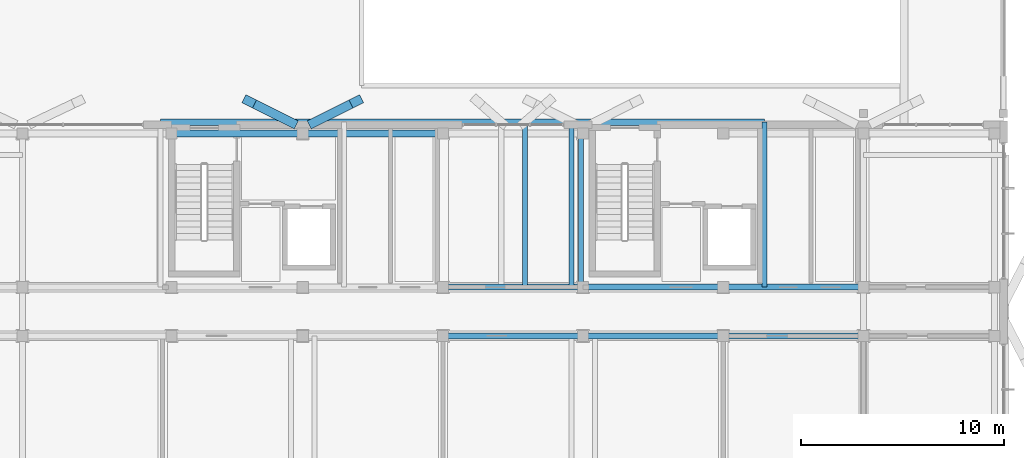
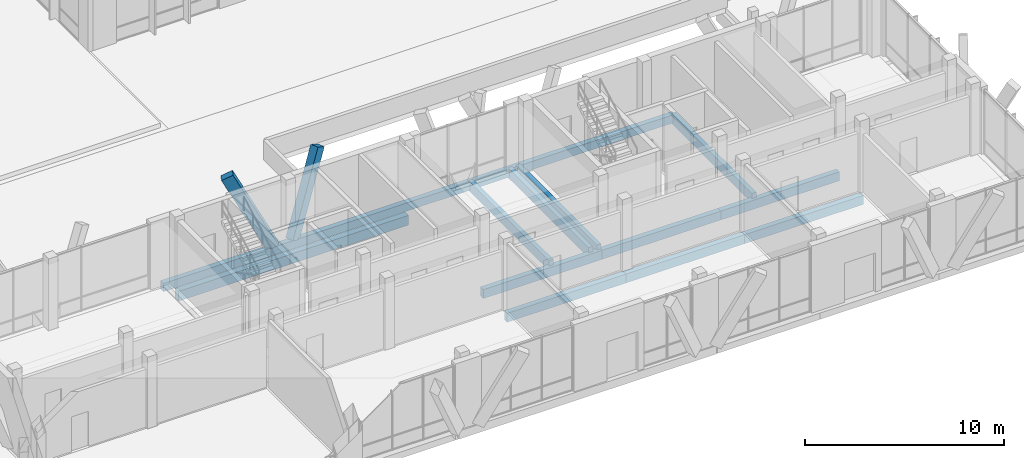
# One storey, part 141 of 233: 13 beams, 2 members.
"""IFC4 building model written with IfcOpenShell, lengths in metres."""

from ifc_helpers import new_model, si_unit, direction, frame, origin, origin_2d, place, context, subcontext, project, spatial, rectangle, extrude, material, material_profile, profile_set, type_object, element, save


model = new_model("IFC4")

# Units and contexts
model_context = context("Model", 3, precision=1e-05, world=origin(), true_north=direction((0.0, 1.0)))
body_context = subcontext(model_context, "Body", "Model", "MODEL_VIEW")
ifc_project = project(units=[si_unit("LENGTHUNIT", "METRE"), si_unit("AREAUNIT", "SQUARE_METRE"), si_unit("VOLUMEUNIT", "CUBIC_METRE"), si_unit("PLANEANGLEUNIT", "RADIAN"), si_unit("MASSUNIT", "GRAM", prefix="KILO")], contexts=[model_context])

# Site, building, storey
site_placement = place(None, origin())
site = spatial("IfcSite", under=ifc_project, at=site_placement, CompositionType="ELEMENT")
building_placement = place(site_placement, origin())
building = spatial("IfcBuilding", under=site, at=building_placement, Name="Zavelmont Quarter", CompositionType="ELEMENT")
storey_placement = place(building_placement, origin())
storey = spatial("IfcBuildingStorey", under=building, at=storey_placement, Name="L00", CompositionType="ELEMENT", Elevation=0.0)

# Beams
ifc_material_1 = material(Name="Concrete C35/45", Category="concrete")
ifc_material_profile_1 = material_profile(ifc_material_1, rectangle(XDim=0.35009765625, YDim=0.60009765625, at=origin_2d()), Name="RC350X600")
ifc_profile_set_1 = profile_set([ifc_material_profile_1], Name="Concrete C35/45")
beam_type_1 = type_object("IfcBeamType", Name="BM01", PredefinedType="SPANDREL", material=ifc_profile_set_1)
beam_1_placement = place(storey_placement, frame((127.0400390625, 17.9599609375, -0.6201171875), z_axis=(1.0, 0.0, 0.0), x_axis=(0.0, 1.0, 0.0)))
element("IfcBeam", 1, at=beam_1_placement, inside=storey, type_object=beam_type_1, Name="L00 beam BM01 19/D to 20/D", PredefinedType="SPANDREL", context=body_context, shape_type="SweptSolid", body=[
    extrude(rectangle(XDim=0.35009765625, YDim=0.60009765625, at=origin_2d()), origin(), (0.0, 0.0, 1.0), 6.4599609375),
])
beam_2_placement = place(storey_placement, frame((133.5, 17.9599609375, -0.6201171875), z_axis=(1.0, 0.0, 0.0), x_axis=(0.0, 1.0, 0.0)))
element("IfcBeam", 2, at=beam_2_placement, inside=storey, type_object=beam_type_1, Name="L00 beam BM01 20/D to 21/D", PredefinedType="SPANDREL", context=body_context, shape_type="SweptSolid", body=[
    extrude(rectangle(XDim=0.35009765625, YDim=0.60009765625, at=origin_2d()), origin(), (0.0, 0.0, 1.0), 6.89990234375),
])
ifc_material_profile_2 = material_profile(ifc_material_1, rectangle(XDim=0.300048828125, YDim=0.550048828125, at=origin_2d()), Name="RC300X550")
ifc_profile_set_2 = profile_set([ifc_material_profile_2], Name="Concrete C35/45")
beam_type_2 = type_object("IfcBeamType", Name="BM02", PredefinedType="SPANDREL", material=ifc_profile_set_2)
beam_3_placement = place(storey_placement, frame((140.39990234375, 8.0, -0.594970703125), z_axis=(1.0, 0.0, 0.0), x_axis=(0.0, 1.0, 0.0)))
element("IfcBeam", 3, at=beam_3_placement, inside=storey, type_object=beam_type_2, Name="L00 beam BM02 21/B to 22/B", PredefinedType="SPANDREL", context=body_context, shape_type="SweptSolid", body=[
    extrude(rectangle(XDim=0.300048828125, YDim=0.550048828125, at=origin_2d()), origin(), (0.0, 0.0, 1.0), 6.900146484375),
])
beam_4_placement = place(storey_placement, frame((147.300048828125, 8.0, -0.594970703125), z_axis=(1.0, 0.0, 0.0), x_axis=(0.0, 1.0, 0.0)))
element("IfcBeam", 4, at=beam_4_placement, inside=storey, type_object=beam_type_2, Name="L00 beam BM02 22/B to 23/B", PredefinedType="SPANDREL", context=body_context, shape_type="SweptSolid", body=[
    extrude(rectangle(XDim=0.300048828125, YDim=0.550048828125, at=origin_2d()), origin(), (0.0, 0.0, 1.0), 6.89990234375),
])
for number, where, z_axis, x_axis, name in (
    (5, (154.199951171875, 8.0, -0.594970703125), (1.0, 0.0, 0.0), (0.0, 1.0, 0.0), "L00 beam BM02 23/B to 24/B"),
    (6, (140.39990234375, 10.39990234375, -0.594970703125), (1.0, 0.0, 0.0), (0.0, 1.0, 0.0), "L00 beam BM02 21/C to 22/C"),
):
    element("IfcBeam", number, at=place(storey_placement, frame(where, z_axis=z_axis, x_axis=x_axis)), inside=storey, type_object=beam_type_2, Name=name, PredefinedType="SPANDREL", context=body_context, shape_type="SweptSolid", body=[
        extrude(rectangle(XDim=0.300048828125, YDim=0.550048828125, at=origin_2d()), origin(), (0.0, 0.0, 1.0), 6.900146484375),
    ])
beam_5_placement = place(storey_placement, frame((147.300048828125, 10.39990234375, -0.594970703125), z_axis=(1.0, 0.0, 0.0), x_axis=(0.0, 1.0, 0.0)))
element("IfcBeam", 7, at=beam_5_placement, inside=storey, type_object=beam_type_2, Name="L00 beam BM02 22/C to 23/C", PredefinedType="SPANDREL", context=body_context, shape_type="SweptSolid", body=[
    extrude(rectangle(XDim=0.300048828125, YDim=0.550048828125, at=origin_2d()), origin(), (0.0, 0.0, 1.0), 6.89990234375),
])
beam_6_placement = place(storey_placement, frame((154.199951171875, 10.39990234375, -0.594970703125), z_axis=(1.0, 0.0, 0.0), x_axis=(0.0, 1.0, 0.0)))
element("IfcBeam", 8, at=beam_6_placement, inside=storey, type_object=beam_type_2, Name="L00 beam BM02 23/C to 24/C", PredefinedType="SPANDREL", context=body_context, shape_type="SweptSolid", body=[
    extrude(rectangle(XDim=0.300048828125, YDim=0.550048828125, at=origin_2d()), origin(), (0.0, 0.0, 1.0), 6.900146484375),
])
ifc_material_profile_3 = material_profile(ifc_material_1, rectangle(XDim=0.300048828125, YDim=0.5, at=origin_2d()), Name="RC300X500")
ifc_profile_set_3 = profile_set([ifc_material_profile_3], Name="Concrete C35/45")
beam_type_3 = type_object("IfcBeamType", Name="BM03", PredefinedType="BEAM", material=ifc_profile_set_3)
beam_7_placement = place(storey_placement, frame((126.5, 18.52001953125, -0.25), z_axis=(1.0, 0.0, 0.0), x_axis=(0.0, 1.0, 0.0)))
element("IfcBeam", 9, at=beam_7_placement, inside=storey, type_object=beam_type_3, Name="L00 beam BM03 19/D to 23/D", PredefinedType="BEAM", context=body_context, shape_type="SweptSolid", body=[
    extrude(rectangle(XDim=0.300048828125, YDim=0.5, at=origin_2d()), origin(), (0.0, 0.0, 1.0), 29.72509765625),
])
ifc_material_2 = material(Name="Concrete C40/50", Category="concrete")
ifc_material_profile_4 = material_profile(ifc_material_2, rectangle(XDim=0.25, YDim=0.60009765625, at=origin_2d()), Name="RC250X600")
ifc_profile_set_4 = profile_set([ifc_material_profile_4], Name="Concrete C40/50")
beam_type_4 = type_object("IfcBeamType", Name="BM18", PredefinedType="BEAM", material=ifc_profile_set_4)
for number, where, z_axis, x_axis, name in (
    (10, (146.719970703125, 10.39990234375, -0.300048828125), (0.0, 1.0, 0.0), (-1.0, 0.0, 0.0), "L00 beam BM18 22/C to 22/D"),
    (11, (147.199951171875, 10.39990234375, -0.300048828125), (0.0, 1.0, 0.0), (-1.0, 0.0, 0.0), "L00 beam BM18 22/C to 22/D"),
    (12, (156.22509765625, 10.39990234375, -0.300048828125), (0.0, 1.0, 0.0), (-1.0, 0.0, 0.0), "L00 beam BM18 23/C to 23/D"),
    (13, (144.429931640625, 10.39990234375, -0.300048828125), (0.0, 1.0, 0.0), (-1.0, 0.0, 0.0), "L00 beam BM18 22/C to 22/D"),
):
    element("IfcBeam", number, at=place(storey_placement, frame(where, z_axis=z_axis, x_axis=x_axis)), inside=storey, type_object=beam_type_4, Name=name, PredefinedType="BEAM", context=body_context, shape_type="SweptSolid", body=[
        extrude(rectangle(XDim=0.25, YDim=0.60009765625, at=origin_2d()), origin(), (0.0, 0.0, 1.0), 8.1201171875),
    ])

# Members
ifc_material_3 = material(Name="White architectural precast concrete C40/50", Category="concrete")
ifc_material_profile_5 = material_profile(ifc_material_3, rectangle(XDim=0.43994140625, YDim=0.659912109375, at=origin_2d()), Name="PCR320X480")
ifc_profile_set_5 = profile_set([ifc_material_profile_5], Name="White architectural precast concrete C40/50")
member_type = type_object("IfcMemberType", Name="VR01M", PredefinedType="CHORD", material=ifc_profile_set_5)
for number, where, z_axis, x_axis, name in (
    (14, (132.919921875, 18.52001953125, 0.0), (-0.41354622227, 0.207535566999, 0.8865148112), (-0.448531381655, -0.893767083568, 0.0), "L00 member VR01M 20/D to 20/D"),
    (15, (134.080078125, 18.52001953125, 0.0), (0.41354622227, 0.207535566999, 0.8865148112), (-0.448531381655, 0.893767083568, 0.0), "L00 member VR01M 20/D to 20/D"),
):
    element("IfcMember", number, at=place(storey_placement, frame(where, z_axis=z_axis, x_axis=x_axis)), inside=storey, type_object=member_type, Name=name, PredefinedType="CHORD", context=body_context, shape_type="SweptSolid", body=[
        extrude(rectangle(XDim=0.43994140625, YDim=0.659912109375, at=origin_2d()), origin(), (0.0, 0.0, 1.0), 4.963134765625),
    ])

save(model, "model.ifc")
